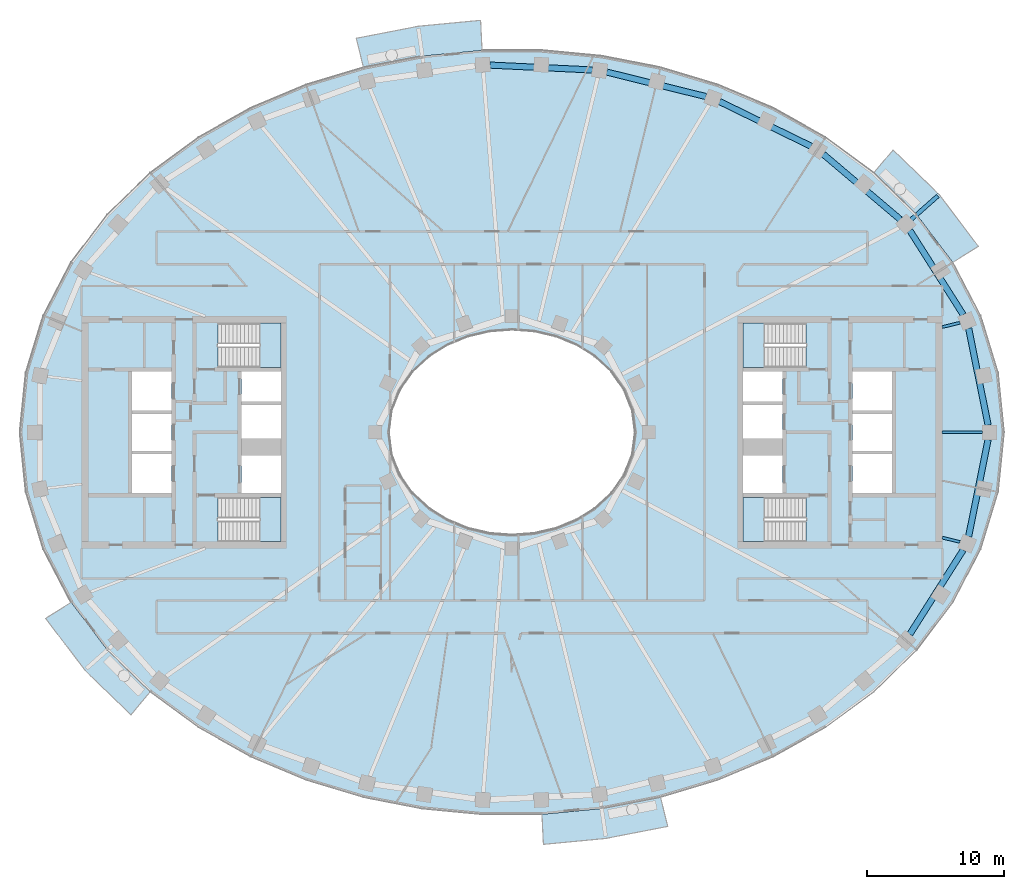
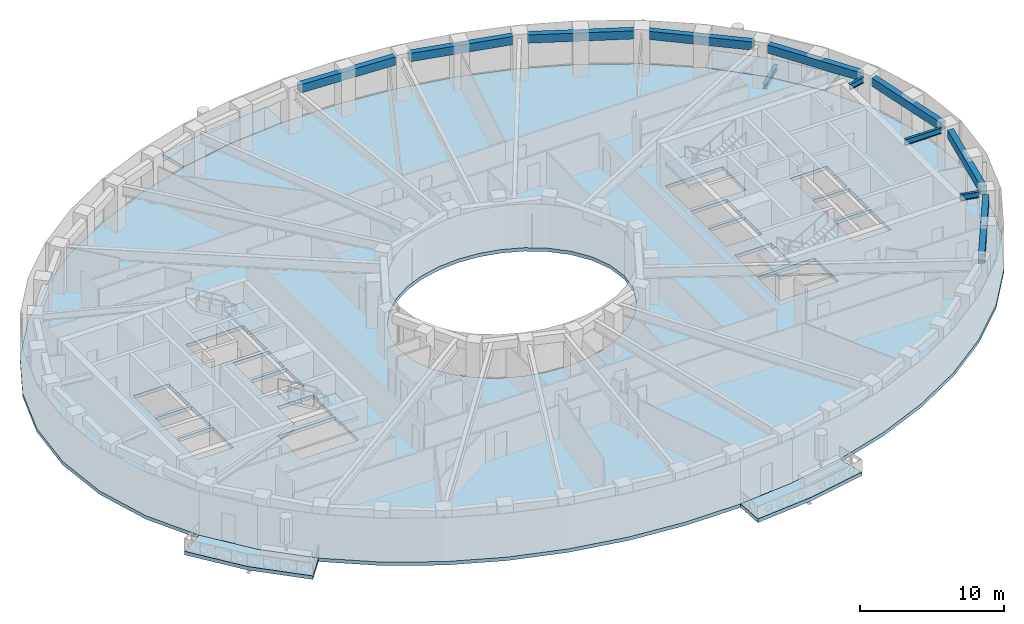
# One storey, part 2 of 16: 12 beams, 9 slabs, 4 elements without a shape of their own.
"""IFC4 building model written with IfcOpenShell, lengths in metres."""

from ifc_helpers import new_model, si_unit, direction, frame, origin, origin_2d, place, context, subcontext, project, spatial, polyline, rectangle, i_section, outline, extrude, material, layer, layer_set, material_profile, profile_set, type_object, element, aggregate, save


model = new_model("IFC4")

# Units and contexts
model_context = context("Model", 3, precision=1e-05, world=origin(), true_north=direction((0.0, 1.0)))
body_context = subcontext(model_context, "Body", "Model", "MODEL_VIEW")
ifc_project = project(units=[si_unit("LENGTHUNIT", "METRE"), si_unit("AREAUNIT", "SQUARE_METRE"), si_unit("VOLUMEUNIT", "CUBIC_METRE"), si_unit("PLANEANGLEUNIT", "RADIAN"), si_unit("MASSUNIT", "GRAM", prefix="KILO")], contexts=[model_context])

# Site, building, storey
site_placement = place(None, origin())
site = spatial("IfcSite", under=ifc_project, at=site_placement, CompositionType="ELEMENT")
building_placement = place(site_placement, origin())
building = spatial("IfcBuilding", under=site, at=building_placement, Name="Noorbagh Ring Tower", CompositionType="ELEMENT")
storey_placement = place(building_placement, frame((0.0, 0.0, 245.5)))
storey = spatial("IfcBuildingStorey", under=building, at=storey_placement, Name="L51", CompositionType="ELEMENT", Elevation=245.5)

# Beams
ifc_material_1 = material(Name="Steel S355", Category="steel")
ifc_material_profile_1 = material_profile(ifc_material_1, i_section(OverallWidth=0.300048828125, OverallDepth=0.39990234375, WebThickness=0.013427734375, FlangeThickness=0.02392578125, FilletRadius=0.027099609375, at=origin_2d()), Name="HEB400")
ifc_profile_set_1 = profile_set([ifc_material_profile_1], Name="Steel S355")
beam_type_1 = type_object("IfcBeamType", Name="STR-BALCONY-BRACKET-HEB400", PredefinedType="BEAM", material=ifc_profile_set_1)
beam_1_placement = place(storey_placement, frame((29.2158203125, 15.58154296875, -0.5), z_axis=(0.749036305026, 0.662528953144, 0.0), x_axis=(-0.662528953144, 0.749036305026, 0.0)))
element("IfcBeam", 1, at=beam_1_placement, inside=storey, type_object=beam_type_1, Name="Balcony bracket beam BN01", PredefinedType="BEAM", context=body_context, shape_type="SweptSolid", body=[
    extrude(i_section(OverallWidth=0.300048828125, OverallDepth=0.39990234375, WebThickness=0.013427734375, FlangeThickness=0.02392578125, FilletRadius=0.027099609375, at=origin_2d()), origin(), (0.0, 0.0, 1.0), 2.57958984375),
])
ifc_material_2 = material(Name="Steel S355", Category="steel")
ifc_material_profile_2 = material_profile(ifc_material_2, i_section(OverallWidth=0.199951171875, OverallDepth=0.5, WebThickness=0.01025390625, FlangeThickness=0.01611328125, FilletRadius=0.02099609375, at=origin_2d()), Name="IPE500")
ifc_profile_set_2 = profile_set([ifc_material_profile_2], Name="Steel S355")
beam_type_2 = type_object("IfcBeamType", Name="STR-RAD-IPE500", PredefinedType="BEAM", material=ifc_profile_set_2)
beam_2_placement = place(storey_placement, frame((34.414794921875, 0.0, 3.449951171875), z_axis=(-1.0, 0.0, 0.0), x_axis=(0.0, -1.0, 0.0)))
element("IfcBeam", 2, at=beam_2_placement, inside=storey, type_object=beam_type_2, Name="L51/bm/RD01", PredefinedType="BEAM", context=body_context, shape_type="SweptSolid", body=[
    extrude(i_section(OverallWidth=0.199951171875, OverallDepth=0.5, WebThickness=0.01025390625, FlangeThickness=0.01611328125, FilletRadius=0.02099609375, at=origin_2d()), origin(), (0.0, 0.0, 1.0), 2.934814453125),
])
for number, where, z_axis, x_axis, name in (
    (3, (32.784423828125, 8.02197265625, 3.449951171875), (-0.971339314725, -0.23769715116, 0.0), (0.23769715116, -0.971339314725, 0.0), "L51/bm/RD03"),
    (4, (32.784423828125, -8.02197265625, 3.449951171875), (-0.971339314725, 0.23769715116, 0.0), (-0.23769715116, -0.971339314725, 0.0), "L51/bm/RD45"),
):
    element("IfcBeam", number, at=place(storey_placement, frame(where, z_axis=z_axis, x_axis=x_axis)), inside=storey, type_object=beam_type_2, Name=name, PredefinedType="BEAM", context=body_context, shape_type="SweptSolid", body=[
        extrude(i_section(OverallWidth=0.199951171875, OverallDepth=0.5, WebThickness=0.01025390625, FlangeThickness=0.01611328125, FilletRadius=0.02099609375, at=origin_2d()), origin(), (0.0, 0.0, 1.0), 1.342529296875),
    ])
ifc_material_3 = material(Name="Concrete C40/50", Category="concrete")
ifc_material_profile_3 = material_profile(ifc_material_3, rectangle(XDim=0.449951171875, YDim=0.699951171875, at=origin_2d()), Name="RC450x700")
ifc_profile_set_3 = profile_set([ifc_material_profile_3], Name="Concrete C40/50")
beam_type_3 = type_object("IfcBeamType", Name="STR-SB-RC450x700-C40-50", PredefinedType="BEAM", material=ifc_profile_set_3)
beam_3_placement = place(storey_placement, frame((34.837890625, 0.5302734375, 3.35009765625), z_axis=(-0.197226195613, 0.980358009996, 0.0), x_axis=(-0.980358009996, -0.197226195613, 0.0)))
element("IfcBeam", 5, at=beam_3_placement, inside=storey, type_object=beam_type_3, Name="L51/bm/SP01", PredefinedType="BEAM", context=body_context, shape_type="SweptSolid", body=[
    extrude(rectangle(XDim=0.449951171875, YDim=0.699951171875, at=origin_2d()), origin(), (0.0, 0.0, 1.0), 7.231689453125),
])
beam_4_placement = place(storey_placement, frame((33.016845703125, 8.604248046875, 3.35009765625), z_axis=(-0.535181639591, 0.844737007977, 0.0), x_axis=(-0.844737007977, -0.535181639591, 0.0)))
element("IfcBeam", 6, at=beam_4_placement, inside=storey, type_object=beam_type_3, Name="L51/bm/SP03", PredefinedType="BEAM", context=body_context, shape_type="SweptSolid", body=[
    extrude(rectangle(XDim=0.449951171875, YDim=0.699951171875, at=origin_2d()), origin(), (0.0, 0.0, 1.0), 7.30712890625),
])
beam_5_placement = place(storey_placement, frame((28.41015625, 15.57666015625, 3.35009765625), z_axis=(-0.763041647575, 0.646349320465, 0.0), x_axis=(-0.646349320465, -0.763041647575, 0.0)))
element("IfcBeam", 7, at=beam_5_placement, inside=storey, type_object=beam_type_3, Name="L51/bm/SP05", PredefinedType="BEAM", context=body_context, shape_type="SweptSolid", body=[
    extrude(rectangle(XDim=0.449951171875, YDim=0.699951171875, at=origin_2d()), origin(), (0.0, 0.0, 1.0), 7.3916015625),
])
beam_6_placement = place(storey_placement, frame((21.88232421875, 20.934326171875, 3.35009765625), z_axis=(-0.898395566206, 0.43918721136, 0.0), x_axis=(-0.43918721136, -0.898395566206, 0.0)))
element("IfcBeam", 8, at=beam_6_placement, inside=storey, type_object=beam_type_3, Name="L51/bm/SP07", PredefinedType="BEAM", context=body_context, shape_type="SweptSolid", body=[
    extrude(rectangle(XDim=0.449951171875, YDim=0.699951171875, at=origin_2d()), origin(), (0.0, 0.0, 1.0), 7.45068359375),
])
beam_7_placement = place(storey_placement, frame((14.192138671875, 24.568603515625, 3.35009765625), z_axis=(-0.970829382675, 0.239771369713, 0.0), x_axis=(-0.239771369713, -0.970829382675, 0.0)))
element("IfcBeam", 9, at=beam_7_placement, inside=storey, type_object=beam_type_3, Name="L51/bm/SP09", PredefinedType="BEAM", context=body_context, shape_type="SweptSolid", body=[
    extrude(rectangle(XDim=0.449951171875, YDim=0.699951171875, at=origin_2d()), origin(), (0.0, 0.0, 1.0), 7.48388671875),
])
beam_8_placement = place(storey_placement, frame((5.877197265625, 26.51611328125, 3.35009765625), z_axis=(-0.998869095319, 0.047545035672, 0.0), x_axis=(-0.047545035672, -0.998869095319, 0.0)))
element("IfcBeam", 10, at=beam_8_placement, inside=storey, type_object=beam_type_3, Name="L51/bm/SP11", PredefinedType="BEAM", context=body_context, shape_type="SweptSolid", body=[
    extrude(rectangle(XDim=0.449951171875, YDim=0.699951171875, at=origin_2d()), origin(), (0.0, 0.0, 1.0), 7.4970703125),
])
beam_9_placement = place(storey_placement, frame((29.106201171875, -14.77685546875, 3.35009765625), z_axis=(0.535181639591, 0.844737007977, 0.0), x_axis=(-0.844737007977, 0.535181639591, 0.0)))
element("IfcBeam", 11, at=beam_9_placement, inside=storey, type_object=beam_type_3, Name="L51/bm/SP43", PredefinedType="BEAM", context=body_context, shape_type="SweptSolid", body=[
    extrude(rectangle(XDim=0.449951171875, YDim=0.699951171875, at=origin_2d()), origin(), (0.0, 0.0, 1.0), 7.30712890625),
])
beam_10_placement = place(storey_placement, frame((33.41162109375, -7.619873046875, 3.35009765625), z_axis=(0.197226195613, 0.980358009996, 0.0), x_axis=(-0.980358009996, 0.197226195613, 0.0)))
element("IfcBeam", 12, at=beam_10_placement, inside=storey, type_object=beam_type_3, Name="L51/bm/SP45", PredefinedType="BEAM", context=body_context, shape_type="SweptSolid", body=[
    extrude(rectangle(XDim=0.449951171875, YDim=0.699951171875, at=origin_2d()), origin(), (0.0, 0.0, 1.0), 7.231689453125),
])

# Stair, slab
ifc_material_4 = material(Name="Concrete C40/50", Category="concrete")
stair_type = type_object("IfcStairType", Name="CORE-STAIR", PredefinedType="HALF_TURN_STAIR", material=ifc_material_4)
stair_1_placement = place(storey_placement, origin())
stair_1 = element("IfcStair", 13, at=stair_1_placement, inside=storey, type_object=stair_type, Name="L51 Exit stair ST1", PredefinedType="HALF_TURN_STAIR")
ifc_material_5 = material(Name="Concrete C40/50", Category="concrete")
ifc_layer_1 = layer(ifc_material_5, 0.300048828125)
ifc_layer_set_1 = layer_set([ifc_layer_1], Name="Concrete C40/50")
slab_type_1 = type_object("IfcSlabType", Name="CORE-STAIR-LANDING", PredefinedType="LANDING", material=ifc_layer_set_1)
slab_1_placement = place(storey_placement, frame((0.0, 0.0, 1.699951171875)))
slab_1 = element("IfcSlab", 14, at=slab_1_placement, type_object=slab_type_1, Name="ST1 landing 1", PredefinedType="LANDING", context=body_context, shape_type="SweptSolid", body=[
    extrude(outline(polyline([(-18.449951171875, 4.75), (-16.89990234375, 4.75), (-16.89990234375, 8.0), (-18.449951171875, 8.0), (-18.449951171875, 4.75)])), origin(), (0.0, 0.0, 1.0), 0.300048828125),
])
aggregate(stair_1, [slab_1])

stair_2_placement = place(storey_placement, origin())
stair_2 = element("IfcStair", 15, at=stair_2_placement, inside=storey, type_object=stair_type, Name="L51 Exit stair ST2", PredefinedType="HALF_TURN_STAIR")
slab_2_placement = place(storey_placement, frame((0.0, 0.0, 1.699951171875)))
slab_2 = element("IfcSlab", 16, at=slab_2_placement, type_object=slab_type_1, Name="ST2 landing 1", PredefinedType="LANDING", context=body_context, shape_type="SweptSolid", body=[
    extrude(outline(polyline([(-18.449951171875, -8.0), (-16.89990234375, -8.0), (-16.89990234375, -4.75), (-18.449951171875, -4.75), (-18.449951171875, -8.0)])), origin(), (0.0, 0.0, 1.0), 0.300048828125),
])
aggregate(stair_2, [slab_2])

stair_3_placement = place(storey_placement, origin())
stair_3 = element("IfcStair", 17, at=stair_3_placement, inside=storey, type_object=stair_type, Name="L51 Exit stair ST3", PredefinedType="HALF_TURN_STAIR")
slab_3_placement = place(storey_placement, frame((0.0, 0.0, 1.699951171875)))
slab_3 = element("IfcSlab", 18, at=slab_3_placement, type_object=slab_type_1, Name="ST3 landing 1", PredefinedType="LANDING", context=body_context, shape_type="SweptSolid", body=[
    extrude(outline(polyline([(18.449951171875, 8.0), (16.89990234375, 8.0), (16.89990234375, 4.75), (18.449951171875, 4.75), (18.449951171875, 8.0)])), origin(), (0.0, 0.0, 1.0), 0.300048828125),
])
aggregate(stair_3, [slab_3])

stair_4_placement = place(storey_placement, origin())
stair_4 = element("IfcStair", 19, at=stair_4_placement, inside=storey, type_object=stair_type, Name="L51 Exit stair ST4", PredefinedType="HALF_TURN_STAIR")
slab_4_placement = place(storey_placement, frame((0.0, 0.0, 1.699951171875)))
slab_4 = element("IfcSlab", 20, at=slab_4_placement, type_object=slab_type_1, Name="ST4 landing 1", PredefinedType="LANDING", context=body_context, shape_type="SweptSolid", body=[
    extrude(outline(polyline([(18.449951171875, -4.75), (16.89990234375, -4.75), (16.89990234375, -8.0), (18.449951171875, -8.0), (18.449951171875, -4.75)])), origin(), (0.0, 0.0, 1.0), 0.300048828125),
])
aggregate(stair_4, [slab_4])

# Slabs
ifc_material_6 = material(Name="Concrete C40/50", Category="concrete")
ifc_layer_2 = layer(ifc_material_6, 0.300048828125)
ifc_layer_set_2 = layer_set([ifc_layer_2], Name="Concrete C40/50")
slab_type_2 = type_object("IfcSlabType", Name="ENV-BALCONY DECK 300", PredefinedType="FLOOR", material=ifc_layer_set_2)
slab_5_placement = place(storey_placement, frame((0.0, 0.0, -0.300048828125)))
element("IfcSlab", 21, at=slab_5_placement, inside=storey, type_object=slab_type_2, Name="Tree balcony deck BN01", PredefinedType="FLOOR", context=body_context, shape_type="SweptSolid", body=[
    extrude(outline(polyline([(34.120361328125, 13.615966796875), (31.26025390625, 17.389892578125), (27.888671875, 20.665771484375), (26.463134765625, 18.983154296875), (29.607666015625, 15.92822265625), (32.255126953125, 12.434814453125), (34.120361328125, 13.615966796875)])), origin(), (0.0, 0.0, 1.0), 0.300048828125),
])
slab_6_placement = place(storey_placement, frame((0.0, 0.0, -0.300048828125)))
element("IfcSlab", 22, at=slab_6_placement, inside=storey, type_object=slab_type_2, Name="Tree balcony deck BN04", PredefinedType="FLOOR", context=body_context, shape_type="SweptSolid", body=[
    extrude(outline(polyline([(-2.2978515625, 30.14794921875), (-6.874755859375, 29.711181640625), (-11.3935546875, 28.832763671875), (-10.865234375, 26.6943359375), (-6.5595703125, 27.53125), (-2.193115234375, 27.947998046875), (-2.2978515625, 30.14794921875)])), origin(), (0.0, 0.0, 1.0), 0.300048828125),
])
slab_7_placement = place(storey_placement, frame((0.0, 0.0, -0.300048828125)))
element("IfcSlab", 23, at=slab_7_placement, inside=storey, type_object=slab_type_2, Name="Tree balcony deck BS01", PredefinedType="FLOOR", context=body_context, shape_type="SweptSolid", body=[
    extrude(outline(polyline([(-34.120361328125, -13.615966796875), (-31.26025390625, -17.389892578125), (-27.888671875, -20.665771484375), (-26.463134765625, -18.983154296875), (-29.607666015625, -15.92822265625), (-32.255126953125, -12.434814453125), (-34.120361328125, -13.615966796875)])), origin(), (0.0, 0.0, 1.0), 0.300048828125),
])
slab_8_placement = place(storey_placement, frame((0.0, 0.0, -0.300048828125)))
element("IfcSlab", 24, at=slab_8_placement, inside=storey, type_object=slab_type_2, Name="Tree balcony deck BS04", PredefinedType="FLOOR", context=body_context, shape_type="SweptSolid", body=[
    extrude(outline(polyline([(2.2978515625, -30.14794921875), (6.874755859375, -29.711181640625), (11.3935546875, -28.832763671875), (10.865234375, -26.6943359375), (6.5595703125, -27.53125), (2.193115234375, -27.947998046875), (2.2978515625, -30.14794921875)])), origin(), (0.0, 0.0, 1.0), 0.300048828125),
])
ifc_material_7 = material(Name="Concrete C40/50", Category="concrete")
ifc_layer_3 = layer(ifc_material_7, 0.300048828125)
ifc_layer_set_3 = layer_set([ifc_layer_3], Name="Concrete C40/50")
slab_type_3 = type_object("IfcSlabType", Name="STR-FLOOR-DECK-300", PredefinedType="FLOOR", material=ifc_layer_set_3)
slab_9_placement = place(storey_placement, frame((0.0, 0.0, -0.300048828125)))
element("IfcSlab", 25, at=slab_9_placement, inside=storey, type_object=slab_type_3, Name="L51/slab/1", PredefinedType="FLOOR", context=body_context, shape_type="SweptSolid", body=[
    extrude(outline(polyline([(36.0, 0.0), (35.56103515625, 4.358642578125), (34.281005859375, 8.548828125), (32.255126953125, 12.434814453125), (29.607666015625, 15.92822265625), (26.463134765625, 18.983154296875), (22.9326171875, 21.583740234375), (19.108154296875, 23.730224609375), (15.0654296875, 25.430419921875), (10.865234375, 26.6943359375), (6.5595703125, 27.53125), (2.193115234375, 27.947998046875), (-2.193115234375, 27.947998046875), (-6.5595703125, 27.53125), (-10.865234375, 26.6943359375), (-15.0654296875, 25.430419921875), (-19.108154296875, 23.730224609375), (-22.9326171875, 21.583740234375), (-26.463134765625, 18.983154296875), (-29.607666015625, 15.92822265625), (-32.255126953125, 12.434814453125), (-34.281005859375, 8.548828125), (-35.56103515625, 4.358642578125), (-36.0, 0.0), (-35.56103515625, -4.358642578125), (-34.281005859375, -8.548828125), (-32.255126953125, -12.434814453125), (-29.607666015625, -15.92822265625), (-26.463134765625, -18.983154296875), (-22.9326171875, -21.583740234375), (-19.108154296875, -23.730224609375), (-15.0654296875, -25.430419921875), (-10.865234375, -26.6943359375), (-6.5595703125, -27.53125), (-2.193115234375, -27.947998046875), (2.193115234375, -27.947998046875), (6.5595703125, -27.53125), (10.865234375, -26.6943359375), (15.0654296875, -25.430419921875), (19.108154296875, -23.730224609375), (22.9326171875, -21.583740234375), (26.463134765625, -18.983154296875), (29.607666015625, -15.92822265625), (32.255126953125, -12.434814453125), (34.281005859375, -8.548828125), (35.56103515625, -4.358642578125), (36.0, 0.0)]), holes=[polyline([(24.89990234375, 4.449951171875), (27.800048828125, 4.449951171875), (27.800048828125, 1.60009765625), (24.89990234375, 1.60009765625), (24.89990234375, 4.449951171875)]), polyline([(24.89990234375, 1.35009765625), (27.800048828125, 1.35009765625), (27.800048828125, -1.35009765625), (24.89990234375, -1.35009765625), (24.89990234375, 1.35009765625)]), polyline([(24.89990234375, -1.60009765625), (27.800048828125, -1.60009765625), (27.800048828125, -4.449951171875), (24.89990234375, -4.449951171875), (24.89990234375, -1.60009765625)]), polyline([(21.529541015625, -8.0), (16.89990234375, -8.0), (16.89990234375, -4.75), (21.529541015625, -4.75), (21.529541015625, -8.0)]), polyline([(16.89990234375, 4.75), (16.89990234375, 8.0), (21.529541015625, 8.0), (21.529541015625, 4.75), (16.89990234375, 4.75)]), polyline([(19.800048828125, 4.449951171875), (19.800048828125, 2.25), (16.89990234375, 2.25), (16.89990234375, 4.449951171875), (19.800048828125, 4.449951171875)]), polyline([(16.89990234375, 2.0), (19.800048828125, 2.0), (19.800048828125, -0.449951171875), (16.89990234375, -0.449951171875), (16.89990234375, 2.0)]), polyline([(16.89990234375, -1.699951171875), (19.800048828125, -1.699951171875), (19.800048828125, -4.449951171875), (16.89990234375, -4.449951171875), (16.89990234375, -1.699951171875)]), polyline([(4.697509765625, -6.3974609375), (3.196533203125, -7.010986328125), (1.6171875, -7.3779296875), (0.0, -7.5), (-1.6171875, -7.3779296875), (-3.196533203125, -7.010986328125), (-4.697509765625, -6.3974609375), (-6.071044921875, -5.53662109375), (-7.2587890625, -4.43408203125), (-8.1904296875, -3.10888671875), (-8.79150390625, -1.605224609375), (-9.0, 0.0), (-8.79150390625, 1.605224609375), (-8.1904296875, 3.10888671875), (-7.2587890625, 4.43408203125), (-6.071044921875, 5.53662109375), (-4.697509765625, 6.3974609375), (-3.196533203125, 7.010986328125), (-1.6171875, 7.3779296875), (0.0, 7.5), (1.6171875, 7.3779296875), (3.196533203125, 7.010986328125), (4.697509765625, 6.3974609375), (6.071044921875, 5.53662109375), (7.2587890625, 4.43408203125), (8.1904296875, 3.10888671875), (8.79150390625, 1.605224609375), (9.0, 0.0), (8.79150390625, -1.605224609375), (8.1904296875, -3.10888671875), (7.2587890625, -4.43408203125), (6.071044921875, -5.53662109375), (4.697509765625, -6.3974609375)]), polyline([(-16.89990234375, 2.25), (-19.800048828125, 2.25), (-19.800048828125, 4.449951171875), (-16.89990234375, 4.449951171875), (-16.89990234375, 2.25)]), polyline([(-16.89990234375, -0.449951171875), (-19.800048828125, -0.449951171875), (-19.800048828125, 2.0), (-16.89990234375, 2.0), (-16.89990234375, -0.449951171875)]), polyline([(-16.89990234375, -4.449951171875), (-19.800048828125, -4.449951171875), (-19.800048828125, -1.699951171875), (-16.89990234375, -1.699951171875), (-16.89990234375, -4.449951171875)]), polyline([(-21.529541015625, 8.0), (-16.89990234375, 8.0), (-16.89990234375, 4.75), (-21.529541015625, 4.75), (-21.529541015625, 8.0)]), polyline([(-21.529541015625, -4.75), (-16.89990234375, -4.75), (-16.89990234375, -8.0), (-21.529541015625, -8.0), (-21.529541015625, -4.75)]), polyline([(-24.89990234375, -4.449951171875), (-27.800048828125, -4.449951171875), (-27.800048828125, -1.60009765625), (-24.89990234375, -1.60009765625), (-24.89990234375, -4.449951171875)]), polyline([(-24.89990234375, 1.60009765625), (-27.800048828125, 1.60009765625), (-27.800048828125, 4.449951171875), (-24.89990234375, 4.449951171875), (-24.89990234375, 1.60009765625)]), polyline([(-24.89990234375, -1.35009765625), (-27.800048828125, -1.35009765625), (-27.800048828125, 1.35009765625), (-24.89990234375, 1.35009765625), (-24.89990234375, -1.35009765625)])]), origin(), (0.0, 0.0, 1.0), 0.300048828125),
])

save(model, "model.ifc")
